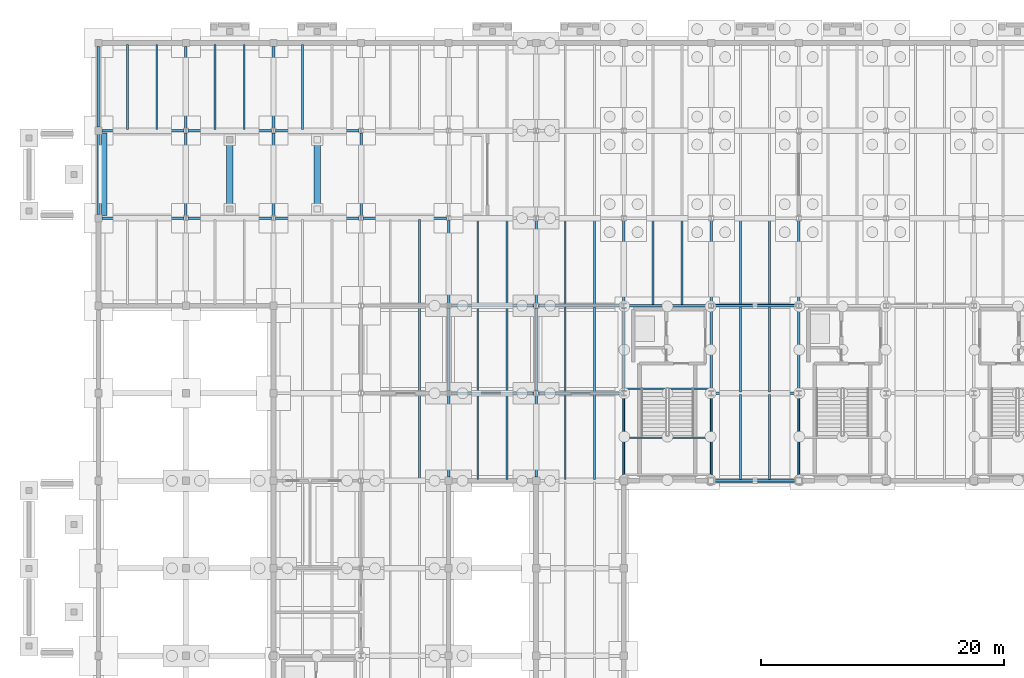
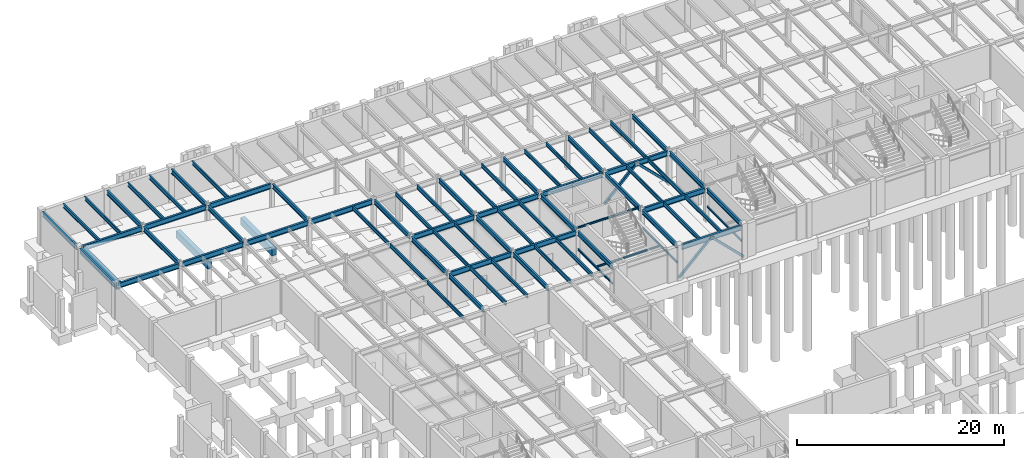
# One storey, part 25 of 46: 73 beams, 4 members.
"""IFC4 building model written with IfcOpenShell, lengths in metres."""

from ifc_helpers import new_model, si_unit, direction, frame, origin, origin_2d, place, context, subcontext, project, spatial, rectangle, hollow_rectangle, i_section, extrude, material, material_profile, profile_set, type_object, element, save


model = new_model("IFC4")

# Units and contexts
model_context = context("Model", 3, precision=1e-05, world=origin(), true_north=direction((0.0, 1.0)))
body_context = subcontext(model_context, "Body", "Model", "MODEL_VIEW")
ifc_project = project(units=[si_unit("LENGTHUNIT", "METRE"), si_unit("AREAUNIT", "SQUARE_METRE"), si_unit("VOLUMEUNIT", "CUBIC_METRE"), si_unit("PLANEANGLEUNIT", "RADIAN"), si_unit("MASSUNIT", "GRAM", prefix="KILO")], contexts=[model_context])

# Site, building, storey
site_placement = place(None, origin())
site = spatial("IfcSite", under=ifc_project, at=site_placement, CompositionType="ELEMENT")
building_placement = place(site_placement, origin())
building = spatial("IfcBuilding", under=site, at=building_placement, Name="Sillqori Civic Hall", CompositionType="ELEMENT")
storey_placement = place(building_placement, frame((0.0, 0.0, -4.199951171875)))
storey = spatial("IfcBuildingStorey", under=building, at=storey_placement, Name="B01", CompositionType="ELEMENT", Elevation=-4.199951171875)

# Beams
ifc_material_1 = material(Name="Steel ASTM A992", Category="steel")
ifc_material_profile_1 = material_profile(ifc_material_1, i_section(OverallWidth=0.2099609375, OverallDepth=0.532958984375, WebThickness=0.01025390625, FlangeThickness=0.015625, FilletRadius=0.013916015625, at=origin_2d()), Name="W21X62")
ifc_profile_set_1 = profile_set([ifc_material_profile_1], Name="Steel ASTM A992")
beam_type_1 = type_object("IfcBeamType", Name="BM-W21X62", PredefinedType="BEAM", material=ifc_profile_set_1)
for number, where, z_axis, x_axis, name in (
    (1, (7.199951171875, 101.093994140625, 3.71337890625), (0.0, 1.0, 0.0), (-1.0, 0.0, 0.0), "B01 girder Y 1-14"),
    (2, (7.199951171875, 108.2939453125, 3.71337890625), (0.0, 1.0, 0.0), (-1.0, 0.0, 0.0), "B01 girder Y 1-15"),
):
    element("IfcBeam", number, at=place(storey_placement, frame(where, z_axis=z_axis, x_axis=x_axis)), inside=storey, type_object=beam_type_1, Name=name, PredefinedType="BEAM", context=body_context, shape_type="SweptSolid", body=[
        extrude(i_section(OverallWidth=0.2099609375, OverallDepth=0.532958984375, WebThickness=0.01025390625, FlangeThickness=0.015625, FilletRadius=0.013916015625, at=origin_2d()), origin(), (0.0, 0.0, 1.0), 6.612060546875),
    ])
beam_1_placement = place(storey_placement, frame((14.39990234375, 100.974609375, 3.71337890625), z_axis=(0.0, 1.0, 0.0), x_axis=(-1.0, 0.0, 0.0)))
element("IfcBeam", 3, at=beam_1_placement, inside=storey, type_object=beam_type_1, Name="B01 girder Y 2-14", PredefinedType="BEAM", context=body_context, shape_type="SweptSolid", body=[
    extrude(i_section(OverallWidth=0.2099609375, OverallDepth=0.532958984375, WebThickness=0.01025390625, FlangeThickness=0.015625, FilletRadius=0.013916015625, at=origin_2d()), origin(), (0.0, 0.0, 1.0), 6.850830078125),
])
beam_2_placement = place(storey_placement, frame((14.39990234375, 108.174560546875, 3.71337890625), z_axis=(0.0, 1.0, 0.0), x_axis=(-1.0, 0.0, 0.0)))
element("IfcBeam", 4, at=beam_2_placement, inside=storey, type_object=beam_type_1, Name="B01 girder Y 2-15", PredefinedType="BEAM", context=body_context, shape_type="SweptSolid", body=[
    extrude(i_section(OverallWidth=0.2099609375, OverallDepth=0.532958984375, WebThickness=0.01025390625, FlangeThickness=0.015625, FilletRadius=0.013916015625, at=origin_2d()), origin(), (0.0, 0.0, 1.0), 6.7314453125),
])
beam_3_placement = place(storey_placement, frame((21.60009765625, 100.974609375, 3.71337890625), z_axis=(0.0, 1.0, 0.0), x_axis=(-1.0, 0.0, 0.0)))
element("IfcBeam", 5, at=beam_3_placement, inside=storey, type_object=beam_type_1, Name="B01 girder Y 3-14", PredefinedType="BEAM", context=body_context, shape_type="SweptSolid", body=[
    extrude(i_section(OverallWidth=0.2099609375, OverallDepth=0.532958984375, WebThickness=0.01025390625, FlangeThickness=0.015625, FilletRadius=0.013916015625, at=origin_2d()), origin(), (0.0, 0.0, 1.0), 6.850830078125),
])
beam_4_placement = place(storey_placement, frame((21.60009765625, 108.174560546875, 3.71337890625), z_axis=(0.0, 1.0, 0.0), x_axis=(-1.0, 0.0, 0.0)))
element("IfcBeam", 6, at=beam_4_placement, inside=storey, type_object=beam_type_1, Name="B01 girder Y 3-15", PredefinedType="BEAM", context=body_context, shape_type="SweptSolid", body=[
    extrude(i_section(OverallWidth=0.2099609375, OverallDepth=0.532958984375, WebThickness=0.01025390625, FlangeThickness=0.015625, FilletRadius=0.013916015625, at=origin_2d()), origin(), (0.0, 0.0, 1.0), 6.7314453125),
])
beam_5_placement = place(storey_placement, frame((28.800048828125, 100.974609375, 3.71337890625), z_axis=(0.0, 1.0, 0.0), x_axis=(-1.0, 0.0, 0.0)))
element("IfcBeam", 7, at=beam_5_placement, inside=storey, type_object=beam_type_1, Name="B01 girder Y 4-14", PredefinedType="BEAM", context=body_context, shape_type="SweptSolid", body=[
    extrude(i_section(OverallWidth=0.2099609375, OverallDepth=0.532958984375, WebThickness=0.01025390625, FlangeThickness=0.015625, FilletRadius=0.013916015625, at=origin_2d()), origin(), (0.0, 0.0, 1.0), 6.850830078125),
])
beam_6_placement = place(storey_placement, frame((36.0, 79.493896484375, 3.71337890625), z_axis=(0.0, 1.0, 0.0), x_axis=(-1.0, 0.0, 0.0)))
element("IfcBeam", 8, at=beam_6_placement, inside=storey, type_object=beam_type_1, Name="B01 girder Y 5-11", PredefinedType="BEAM", context=body_context, shape_type="SweptSolid", body=[
    extrude(i_section(OverallWidth=0.2099609375, OverallDepth=0.532958984375, WebThickness=0.01025390625, FlangeThickness=0.015625, FilletRadius=0.013916015625, at=origin_2d()), origin(), (0.0, 0.0, 1.0), 6.715087890625),
])
beam_7_placement = place(storey_placement, frame((36.0, 86.591064453125, 3.71337890625), z_axis=(0.0, 1.0, 0.0), x_axis=(-1.0, 0.0, 0.0)))
element("IfcBeam", 9, at=beam_7_placement, inside=storey, type_object=beam_type_1, Name="B01 girder Y 5-12", PredefinedType="BEAM", context=body_context, shape_type="SweptSolid", body=[
    extrude(i_section(OverallWidth=0.2099609375, OverallDepth=0.532958984375, WebThickness=0.01025390625, FlangeThickness=0.015625, FilletRadius=0.013916015625, at=origin_2d()), origin(), (0.0, 0.0, 1.0), 6.81787109375),
])
beam_8_placement = place(storey_placement, frame((36.0, 93.791015625, 3.71337890625), z_axis=(0.0, 1.0, 0.0), x_axis=(-1.0, 0.0, 0.0)))
element("IfcBeam", 10, at=beam_8_placement, inside=storey, type_object=beam_type_1, Name="B01 girder Y 5-13", PredefinedType="BEAM", context=body_context, shape_type="SweptSolid", body=[
    extrude(i_section(OverallWidth=0.2099609375, OverallDepth=0.532958984375, WebThickness=0.01025390625, FlangeThickness=0.015625, FilletRadius=0.013916015625, at=origin_2d()), origin(), (0.0, 0.0, 1.0), 6.8310546875),
])
beam_9_placement = place(storey_placement, frame((43.199951171875, 79.493896484375, 3.71337890625), z_axis=(0.0, 1.0, 0.0), x_axis=(-1.0, 0.0, 0.0)))
element("IfcBeam", 11, at=beam_9_placement, inside=storey, type_object=beam_type_1, Name="B01 girder Y 6-11", PredefinedType="BEAM", context=body_context, shape_type="SweptSolid", body=[
    extrude(i_section(OverallWidth=0.2099609375, OverallDepth=0.532958984375, WebThickness=0.01025390625, FlangeThickness=0.015625, FilletRadius=0.013916015625, at=origin_2d()), origin(), (0.0, 0.0, 1.0), 6.715087890625),
])
for number, where, z_axis, x_axis, name in (
    (12, (43.199951171875, 86.591064453125, 3.71337890625), (0.0, 1.0, 0.0), (-1.0, 0.0, 0.0), "B01 girder Y 6-12"),
    (13, (43.199951171875, 93.791015625, 3.71337890625), (0.0, 1.0, 0.0), (-1.0, 0.0, 0.0), "B01 girder Y 6-13"),
):
    element("IfcBeam", number, at=place(storey_placement, frame(where, z_axis=z_axis, x_axis=x_axis)), inside=storey, type_object=beam_type_1, Name=name, PredefinedType="BEAM", context=body_context, shape_type="SweptSolid", body=[
        extrude(i_section(OverallWidth=0.2099609375, OverallDepth=0.532958984375, WebThickness=0.01025390625, FlangeThickness=0.015625, FilletRadius=0.013916015625, at=origin_2d()), origin(), (0.0, 0.0, 1.0), 6.81787109375),
    ])
beam_10_placement = place(storey_placement, frame((50.39990234375, 79.493896484375, 3.71337890625), z_axis=(0.0, 1.0, 0.0), x_axis=(-1.0, 0.0, 0.0)))
element("IfcBeam", 14, at=beam_10_placement, inside=storey, type_object=beam_type_1, Name="B01 girder Y 7-11", PredefinedType="BEAM", context=body_context, shape_type="SweptSolid", body=[
    extrude(i_section(OverallWidth=0.2099609375, OverallDepth=0.532958984375, WebThickness=0.01025390625, FlangeThickness=0.015625, FilletRadius=0.013916015625, at=origin_2d()), origin(), (0.0, 0.0, 1.0), 6.708984375),
])
beam_11_placement = place(storey_placement, frame((50.39990234375, 86.596923828125, 3.71337890625), z_axis=(0.0, 1.0, 0.0), x_axis=(-1.0, 0.0, 0.0)))
element("IfcBeam", 15, at=beam_11_placement, inside=storey, type_object=beam_type_1, Name="B01 girder Y 7-12", PredefinedType="BEAM", context=body_context, shape_type="SweptSolid", body=[
    extrude(i_section(OverallWidth=0.2099609375, OverallDepth=0.532958984375, WebThickness=0.01025390625, FlangeThickness=0.015625, FilletRadius=0.013916015625, at=origin_2d()), origin(), (0.0, 0.0, 1.0), 6.80615234375),
])
beam_12_placement = place(storey_placement, frame((50.39990234375, 93.797119140625, 3.71337890625), z_axis=(0.0, 1.0, 0.0), x_axis=(-1.0, 0.0, 0.0)))
element("IfcBeam", 16, at=beam_12_placement, inside=storey, type_object=beam_type_1, Name="B01 girder Y 7-13", PredefinedType="BEAM", context=body_context, shape_type="SweptSolid", body=[
    extrude(i_section(OverallWidth=0.2099609375, OverallDepth=0.532958984375, WebThickness=0.01025390625, FlangeThickness=0.015625, FilletRadius=0.013916015625, at=origin_2d()), origin(), (0.0, 0.0, 1.0), 6.805908203125),
])
beam_13_placement = place(storey_placement, frame((57.60009765625, 79.493896484375, 3.71337890625), z_axis=(0.0, 1.0, 0.0), x_axis=(-1.0, 0.0, 0.0)))
element("IfcBeam", 17, at=beam_13_placement, inside=storey, type_object=beam_type_1, Name="B01 girder Y 8-11", PredefinedType="BEAM", context=body_context, shape_type="SweptSolid", body=[
    extrude(i_section(OverallWidth=0.2099609375, OverallDepth=0.532958984375, WebThickness=0.01025390625, FlangeThickness=0.015625, FilletRadius=0.013916015625, at=origin_2d()), origin(), (0.0, 0.0, 1.0), 6.708984375),
])
beam_14_placement = place(storey_placement, frame((57.60009765625, 86.596923828125, 3.71337890625), z_axis=(0.0, 1.0, 0.0), x_axis=(-1.0, 0.0, 0.0)))
element("IfcBeam", 18, at=beam_14_placement, inside=storey, type_object=beam_type_1, Name="B01 girder Y 8-12", PredefinedType="BEAM", context=body_context, shape_type="SweptSolid", body=[
    extrude(i_section(OverallWidth=0.2099609375, OverallDepth=0.532958984375, WebThickness=0.01025390625, FlangeThickness=0.015625, FilletRadius=0.013916015625, at=origin_2d()), origin(), (0.0, 0.0, 1.0), 6.80615234375),
])
beam_15_placement = place(storey_placement, frame((57.60009765625, 93.797119140625, 3.71337890625), z_axis=(0.0, 1.0, 0.0), x_axis=(-1.0, 0.0, 0.0)))
element("IfcBeam", 19, at=beam_15_placement, inside=storey, type_object=beam_type_1, Name="B01 girder Y 8-13", PredefinedType="BEAM", context=body_context, shape_type="SweptSolid", body=[
    extrude(i_section(OverallWidth=0.2099609375, OverallDepth=0.532958984375, WebThickness=0.01025390625, FlangeThickness=0.015625, FilletRadius=0.013916015625, at=origin_2d()), origin(), (0.0, 0.0, 1.0), 6.805908203125),
])
beam_16_placement = place(storey_placement, frame((64.800048828125, 79.493896484375, 3.71337890625), z_axis=(0.0, 1.0, 0.0), x_axis=(-1.0, 0.0, 0.0)))
element("IfcBeam", 20, at=beam_16_placement, inside=storey, type_object=beam_type_1, Name="B01 girder Y 9-11", PredefinedType="BEAM", context=body_context, shape_type="SweptSolid", body=[
    extrude(i_section(OverallWidth=0.2099609375, OverallDepth=0.532958984375, WebThickness=0.01025390625, FlangeThickness=0.015625, FilletRadius=0.013916015625, at=origin_2d()), origin(), (0.0, 0.0, 1.0), 6.708984375),
])
beam_17_placement = place(storey_placement, frame((64.800048828125, 86.596923828125, 3.71337890625), z_axis=(0.0, 1.0, 0.0), x_axis=(-1.0, 0.0, 0.0)))
element("IfcBeam", 21, at=beam_17_placement, inside=storey, type_object=beam_type_1, Name="B01 girder Y 9-12", PredefinedType="BEAM", context=body_context, shape_type="SweptSolid", body=[
    extrude(i_section(OverallWidth=0.2099609375, OverallDepth=0.532958984375, WebThickness=0.01025390625, FlangeThickness=0.015625, FilletRadius=0.013916015625, at=origin_2d()), origin(), (0.0, 0.0, 1.0), 6.80615234375),
])
beam_18_placement = place(storey_placement, frame((64.800048828125, 93.797119140625, 3.71337890625), z_axis=(0.0, 1.0, 0.0), x_axis=(-1.0, 0.0, 0.0)))
element("IfcBeam", 22, at=beam_18_placement, inside=storey, type_object=beam_type_1, Name="B01 girder Y 9-13", PredefinedType="BEAM", context=body_context, shape_type="SweptSolid", body=[
    extrude(i_section(OverallWidth=0.2099609375, OverallDepth=0.532958984375, WebThickness=0.01025390625, FlangeThickness=0.015625, FilletRadius=0.013916015625, at=origin_2d()), origin(), (0.0, 0.0, 1.0), 6.805908203125),
])
ifc_material_profile_2 = material_profile(ifc_material_1, i_section(OverallWidth=0.22802734375, OverallDepth=0.60205078125, WebThickness=0.010498046875, FlangeThickness=0.014892578125, FilletRadius=0.014892578125, at=origin_2d()), Name="W24X68")
ifc_profile_set_2 = profile_set([ifc_material_profile_2], Name="Steel ASTM A992")
beam_type_2 = type_object("IfcBeamType", Name="BM-W24X68", PredefinedType="BEAM", material=ifc_profile_set_2)
for number, where, z_axis, x_axis, name in (
    (23, (7.493896484375, 100.800048828125, 3.678955078125), (1.0, 0.0, 0.0), (0.0, 1.0, 0.0), "B01 girder X 1-14"),
    (24, (7.493896484375, 108.0, 3.678955078125), (1.0, 0.0, 0.0), (0.0, 1.0, 0.0), "B01 girder X 1-15"),
):
    element("IfcBeam", number, at=place(storey_placement, frame(where, z_axis=z_axis, x_axis=x_axis)), inside=storey, type_object=beam_type_2, Name=name, PredefinedType="BEAM", context=body_context, shape_type="SweptSolid", body=[
        extrude(i_section(OverallWidth=0.22802734375, OverallDepth=0.60205078125, WebThickness=0.010498046875, FlangeThickness=0.014892578125, FilletRadius=0.014892578125, at=origin_2d()), origin(), (0.0, 0.0, 1.0), 6.7265625),
    ])
for number, where, z_axis, x_axis, name in (
    (25, (14.57958984375, 100.800048828125, 3.678955078125), (1.0, 0.0, 0.0), (0.0, 1.0, 0.0), "B01 girder X 2-14"),
    (26, (14.57958984375, 108.0, 3.678955078125), (1.0, 0.0, 0.0), (0.0, 1.0, 0.0), "B01 girder X 2-15"),
):
    element("IfcBeam", number, at=place(storey_placement, frame(where, z_axis=z_axis, x_axis=x_axis)), inside=storey, type_object=beam_type_2, Name=name, PredefinedType="BEAM", context=body_context, shape_type="SweptSolid", body=[
        extrude(i_section(OverallWidth=0.22802734375, OverallDepth=0.60205078125, WebThickness=0.010498046875, FlangeThickness=0.014892578125, FilletRadius=0.014892578125, at=origin_2d()), origin(), (0.0, 0.0, 1.0), 6.8408203125),
    ])
for number, where, z_axis, x_axis, name in (
    (27, (21.779541015625, 100.800048828125, 3.678955078125), (1.0, 0.0, 0.0), (0.0, 1.0, 0.0), "B01 girder X 3-14"),
    (28, (21.779541015625, 108.0, 3.678955078125), (1.0, 0.0, 0.0), (0.0, 1.0, 0.0), "B01 girder X 3-15"),
):
    element("IfcBeam", number, at=place(storey_placement, frame(where, z_axis=z_axis, x_axis=x_axis)), inside=storey, type_object=beam_type_2, Name=name, PredefinedType="BEAM", context=body_context, shape_type="SweptSolid", body=[
        extrude(i_section(OverallWidth=0.22802734375, OverallDepth=0.60205078125, WebThickness=0.010498046875, FlangeThickness=0.014892578125, FilletRadius=0.014892578125, at=origin_2d()), origin(), (0.0, 0.0, 1.0), 6.841064453125),
    ])
beam_19_placement = place(storey_placement, frame((28.9794921875, 100.800048828125, 3.678955078125), z_axis=(1.0, 0.0, 0.0), x_axis=(0.0, 1.0, 0.0)))
element("IfcBeam", 29, at=beam_19_placement, inside=storey, type_object=beam_type_2, Name="B01 girder X 4-14", PredefinedType="BEAM", context=body_context, shape_type="SweptSolid", body=[
    extrude(i_section(OverallWidth=0.22802734375, OverallDepth=0.60205078125, WebThickness=0.010498046875, FlangeThickness=0.014892578125, FilletRadius=0.014892578125, at=origin_2d()), origin(), (0.0, 0.0, 1.0), 6.840087890625),
])
for number, where, z_axis, x_axis, name in (
    (30, (36.193603515625, 86.39990234375, 3.678955078125), (1.0, 0.0, 0.0), (0.0, 1.0, 0.0), "B01 girder X 5-12"),
    (31, (36.193603515625, 93.60009765625, 3.678955078125), (1.0, 0.0, 0.0), (0.0, 1.0, 0.0), "B01 girder X 5-13"),
):
    element("IfcBeam", number, at=place(storey_placement, frame(where, z_axis=z_axis, x_axis=x_axis)), inside=storey, type_object=beam_type_2, Name=name, PredefinedType="BEAM", context=body_context, shape_type="SweptSolid", body=[
        extrude(i_section(OverallWidth=0.22802734375, OverallDepth=0.60205078125, WebThickness=0.010498046875, FlangeThickness=0.014892578125, FilletRadius=0.014892578125, at=origin_2d()), origin(), (0.0, 0.0, 1.0), 6.81298828125),
    ])
for number, where, z_axis, x_axis, name in (
    (32, (43.3935546875, 86.39990234375, 3.678955078125), (1.0, 0.0, 0.0), (0.0, 1.0, 0.0), "B01 girder X 6-12"),
    (33, (43.3935546875, 93.60009765625, 3.678955078125), (1.0, 0.0, 0.0), (0.0, 1.0, 0.0), "B01 girder X 6-13"),
):
    element("IfcBeam", number, at=place(storey_placement, frame(where, z_axis=z_axis, x_axis=x_axis)), inside=storey, type_object=beam_type_2, Name=name, PredefinedType="BEAM", context=body_context, shape_type="SweptSolid", body=[
        extrude(i_section(OverallWidth=0.22802734375, OverallDepth=0.60205078125, WebThickness=0.010498046875, FlangeThickness=0.014892578125, FilletRadius=0.014892578125, at=origin_2d()), origin(), (0.0, 0.0, 1.0), 6.810546875),
    ])
beam_20_placement = place(storey_placement, frame((50.595947265625, 93.60009765625, 3.678955078125), z_axis=(1.0, 0.0, 0.0), x_axis=(0.0, 1.0, 0.0)))
element("IfcBeam", 34, at=beam_20_placement, inside=storey, type_object=beam_type_2, Name="B01 girder X 7-13", PredefinedType="BEAM", context=body_context, shape_type="SweptSolid", body=[
    extrude(i_section(OverallWidth=0.22802734375, OverallDepth=0.60205078125, WebThickness=0.010498046875, FlangeThickness=0.014892578125, FilletRadius=0.014892578125, at=origin_2d()), origin(), (0.0, 0.0, 1.0), 6.80810546875),
])
beam_21_placement = place(storey_placement, frame((57.89404296875, 79.199951171875, 3.678955078125), z_axis=(1.0, 0.0, 0.0), x_axis=(0.0, 1.0, 0.0)))
element("IfcBeam", 35, at=beam_21_placement, inside=storey, type_object=beam_type_2, Name="B01 girder X 8-11", PredefinedType="BEAM", context=body_context, shape_type="SweptSolid", body=[
    extrude(i_section(OverallWidth=0.22802734375, OverallDepth=0.60205078125, WebThickness=0.010498046875, FlangeThickness=0.014892578125, FilletRadius=0.014892578125, at=origin_2d()), origin(), (0.0, 0.0, 1.0), 6.612060546875),
])
for number, where, z_axis, x_axis, name in (
    (36, (57.7958984375, 86.39990234375, 3.678955078125), (1.0, 0.0, 0.0), (0.0, 1.0, 0.0), "B01 girder X 8-12"),
    (37, (57.7958984375, 93.60009765625, 3.678955078125), (1.0, 0.0, 0.0), (0.0, 1.0, 0.0), "B01 girder X 8-13"),
):
    element("IfcBeam", number, at=place(storey_placement, frame(where, z_axis=z_axis, x_axis=x_axis)), inside=storey, type_object=beam_type_2, Name=name, PredefinedType="BEAM", context=body_context, shape_type="SweptSolid", body=[
        extrude(i_section(OverallWidth=0.22802734375, OverallDepth=0.60205078125, WebThickness=0.010498046875, FlangeThickness=0.014892578125, FilletRadius=0.014892578125, at=origin_2d()), origin(), (0.0, 0.0, 1.0), 6.80810546875),
    ])

# Members
ifc_material_2 = material(Name="Steel ASTM A500 Grade C", Category="steel")
ifc_material_profile_3 = material_profile(ifc_material_2, hollow_rectangle(XDim=0.25, YDim=0.25, WallThickness=0.011962890625, InnerFilletRadius=0.011962890625, OuterFilletRadius=0.02392578125, at=origin_2d()), Name="HSS250X250X12")
ifc_profile_set_3 = profile_set([ifc_material_profile_3], Name="Steel ASTM A500 Grade C")
member_type = type_object("IfcMemberType", Name="BR-HSS250", PredefinedType="BRACE", material=ifc_profile_set_3)
member_1_placement = place(storey_placement, frame((57.60009765625, 79.199951171875, 0.14990234375), z_axis=(0.712015061443, 0.0, 0.702164191823), x_axis=(0.0, 1.0, 0.0)))
element("IfcMember", 38, at=member_1_placement, inside=storey, type_object=member_type, Name="B01 seismic chevron brace L X11-8", PredefinedType="BRACE", context=body_context, shape_type="SweptSolid", body=[
    extrude(hollow_rectangle(XDim=0.25, YDim=0.25, WallThickness=0.011962890625, InnerFilletRadius=0.011962890625, OuterFilletRadius=0.02392578125, at=origin_2d()), origin(), (0.0, 0.0, 1.0), 5.055908203125),
])
member_2_placement = place(storey_placement, frame((64.800048828125, 79.199951171875, 0.14990234375), z_axis=(-0.712038868151, 0.0, 0.702140050305), x_axis=(0.0, -1.0, 0.0)))
element("IfcMember", 39, at=member_2_placement, inside=storey, type_object=member_type, Name="B01 seismic chevron brace R X11-8", PredefinedType="BRACE", context=body_context, shape_type="SweptSolid", body=[
    extrude(hollow_rectangle(XDim=0.25, YDim=0.25, WallThickness=0.011962890625, InnerFilletRadius=0.011962890625, OuterFilletRadius=0.02392578125, at=origin_2d()), origin(), (0.0, 0.0, 1.0), 5.05615234375),
])
member_3_placement = place(storey_placement, frame((57.60009765625, 93.60009765625, 0.14990234375), z_axis=(0.712015061443, 0.0, 0.702164191823), x_axis=(0.0, 1.0, 0.0)))
element("IfcMember", 40, at=member_3_placement, inside=storey, type_object=member_type, Name="B01 seismic chevron brace L X13-8", PredefinedType="BRACE", context=body_context, shape_type="SweptSolid", body=[
    extrude(hollow_rectangle(XDim=0.25, YDim=0.25, WallThickness=0.011962890625, InnerFilletRadius=0.011962890625, OuterFilletRadius=0.02392578125, at=origin_2d()), origin(), (0.0, 0.0, 1.0), 5.055908203125),
])
member_4_placement = place(storey_placement, frame((64.800048828125, 93.60009765625, 0.14990234375), z_axis=(-0.712038868151, 0.0, 0.702140050305), x_axis=(0.0, -1.0, 0.0)))
element("IfcMember", 41, at=member_4_placement, inside=storey, type_object=member_type, Name="B01 seismic chevron brace R X13-8", PredefinedType="BRACE", context=body_context, shape_type="SweptSolid", body=[
    extrude(hollow_rectangle(XDim=0.25, YDim=0.25, WallThickness=0.011962890625, InnerFilletRadius=0.011962890625, OuterFilletRadius=0.02392578125, at=origin_2d()), origin(), (0.0, 0.0, 1.0), 5.05615234375),
])

# Beams
ifc_material_profile_4 = material_profile(ifc_material_1, i_section(OverallWidth=0.153076171875, OverallDepth=0.455078125, WebThickness=0.008056640625, FlangeThickness=0.01318359375, FilletRadius=0.012939453125, at=origin_2d()), Name="W18X40")
ifc_profile_set_4 = profile_set([ifc_material_profile_4], Name="Steel ASTM A992")
beam_type_3 = type_object("IfcBeamType", Name="JS-W18X40", PredefinedType="JOIST", material=ifc_profile_set_4)
for number, where, z_axis, x_axis, name in (
    (42, (9.60009765625, 108.094970703125, 3.75244140625), (0.0, 1.0, 0.0), (-1.0, 0.0, 0.0), "B01 composite joist 1-15.1"),
    (43, (12.0, 108.094970703125, 3.75244140625), (0.0, 1.0, 0.0), (-1.0, 0.0, 0.0), "B01 composite joist 1-15.2"),
    (44, (16.800048828125, 108.094970703125, 3.75244140625), (0.0, 1.0, 0.0), (-1.0, 0.0, 0.0), "B01 composite joist 2-15.1"),
    (45, (19.199951171875, 108.094970703125, 3.75244140625), (0.0, 1.0, 0.0), (-1.0, 0.0, 0.0), "B01 composite joist 2-15.2"),
    (46, (24.0, 108.094970703125, 3.75244140625), (0.0, 1.0, 0.0), (-1.0, 0.0, 0.0), "B01 composite joist 3-15.1"),
    (47, (33.60009765625, 79.294921875, 3.75244140625), (0.0, 1.0, 0.0), (-1.0, 0.0, 0.0), "B01 composite joist 4-11.2"),
):
    element("IfcBeam", number, at=place(storey_placement, frame(where, z_axis=z_axis, x_axis=x_axis)), inside=storey, type_object=beam_type_3, Name=name, PredefinedType="JOIST", context=body_context, shape_type="SweptSolid", body=[
        extrude(i_section(OverallWidth=0.153076171875, OverallDepth=0.455078125, WebThickness=0.008056640625, FlangeThickness=0.01318359375, FilletRadius=0.012939453125, at=origin_2d()), origin(), (0.0, 0.0, 1.0), 7.010009765625),
    ])
beam_22_placement = place(storey_placement, frame((33.60009765625, 86.4951171875, 3.75244140625), z_axis=(0.0, 1.0, 0.0), x_axis=(-1.0, 0.0, 0.0)))
element("IfcBeam", 48, at=beam_22_placement, inside=storey, type_object=beam_type_3, Name="B01 composite joist 4-12.2", PredefinedType="JOIST", context=body_context, shape_type="SweptSolid", body=[
    extrude(i_section(OverallWidth=0.153076171875, OverallDepth=0.455078125, WebThickness=0.008056640625, FlangeThickness=0.01318359375, FilletRadius=0.012939453125, at=origin_2d()), origin(), (0.0, 0.0, 1.0), 7.009765625),
])
for number, where, z_axis, x_axis, name in (
    (49, (33.60009765625, 93.695068359375, 3.75244140625), (0.0, 1.0, 0.0), (-1.0, 0.0, 0.0), "B01 composite joist 4-13.2"),
    (50, (38.39990234375, 79.294921875, 3.75244140625), (0.0, 1.0, 0.0), (-1.0, 0.0, 0.0), "B01 composite joist 5-11.1"),
    (51, (40.800048828125, 79.294921875, 3.75244140625), (0.0, 1.0, 0.0), (-1.0, 0.0, 0.0), "B01 composite joist 5-11.2"),
):
    element("IfcBeam", number, at=place(storey_placement, frame(where, z_axis=z_axis, x_axis=x_axis)), inside=storey, type_object=beam_type_3, Name=name, PredefinedType="JOIST", context=body_context, shape_type="SweptSolid", body=[
        extrude(i_section(OverallWidth=0.153076171875, OverallDepth=0.455078125, WebThickness=0.008056640625, FlangeThickness=0.01318359375, FilletRadius=0.012939453125, at=origin_2d()), origin(), (0.0, 0.0, 1.0), 7.010009765625),
    ])
for number, where, z_axis, x_axis, name in (
    (52, (38.39990234375, 86.4951171875, 3.75244140625), (0.0, 1.0, 0.0), (-1.0, 0.0, 0.0), "B01 composite joist 5-12.1"),
    (53, (40.800048828125, 86.4951171875, 3.75244140625), (0.0, 1.0, 0.0), (-1.0, 0.0, 0.0), "B01 composite joist 5-12.2"),
):
    element("IfcBeam", number, at=place(storey_placement, frame(where, z_axis=z_axis, x_axis=x_axis)), inside=storey, type_object=beam_type_3, Name=name, PredefinedType="JOIST", context=body_context, shape_type="SweptSolid", body=[
        extrude(i_section(OverallWidth=0.153076171875, OverallDepth=0.455078125, WebThickness=0.008056640625, FlangeThickness=0.01318359375, FilletRadius=0.012939453125, at=origin_2d()), origin(), (0.0, 0.0, 1.0), 7.009765625),
    ])
for number, where, z_axis, x_axis, name in (
    (54, (38.39990234375, 93.695068359375, 3.75244140625), (0.0, 1.0, 0.0), (-1.0, 0.0, 0.0), "B01 composite joist 5-13.1"),
    (55, (40.800048828125, 93.695068359375, 3.75244140625), (0.0, 1.0, 0.0), (-1.0, 0.0, 0.0), "B01 composite joist 5-13.2"),
    (56, (45.60009765625, 79.294921875, 3.75244140625), (0.0, 1.0, 0.0), (-1.0, 0.0, 0.0), "B01 composite joist 6-11.1"),
    (57, (48.0, 79.294921875, 3.75244140625), (0.0, 1.0, 0.0), (-1.0, 0.0, 0.0), "B01 composite joist 6-11.2"),
):
    element("IfcBeam", number, at=place(storey_placement, frame(where, z_axis=z_axis, x_axis=x_axis)), inside=storey, type_object=beam_type_3, Name=name, PredefinedType="JOIST", context=body_context, shape_type="SweptSolid", body=[
        extrude(i_section(OverallWidth=0.153076171875, OverallDepth=0.455078125, WebThickness=0.008056640625, FlangeThickness=0.01318359375, FilletRadius=0.012939453125, at=origin_2d()), origin(), (0.0, 0.0, 1.0), 7.010009765625),
    ])
for number, where, z_axis, x_axis, name in (
    (58, (45.60009765625, 86.4951171875, 3.75244140625), (0.0, 1.0, 0.0), (-1.0, 0.0, 0.0), "B01 composite joist 6-12.1"),
    (59, (48.0, 86.4951171875, 3.75244140625), (0.0, 1.0, 0.0), (-1.0, 0.0, 0.0), "B01 composite joist 6-12.2"),
):
    element("IfcBeam", number, at=place(storey_placement, frame(where, z_axis=z_axis, x_axis=x_axis)), inside=storey, type_object=beam_type_3, Name=name, PredefinedType="JOIST", context=body_context, shape_type="SweptSolid", body=[
        extrude(i_section(OverallWidth=0.153076171875, OverallDepth=0.455078125, WebThickness=0.008056640625, FlangeThickness=0.01318359375, FilletRadius=0.012939453125, at=origin_2d()), origin(), (0.0, 0.0, 1.0), 7.009765625),
    ])
for number, where, z_axis, x_axis, name in (
    (60, (45.60009765625, 93.695068359375, 3.75244140625), (0.0, 1.0, 0.0), (-1.0, 0.0, 0.0), "B01 composite joist 6-13.1"),
    (61, (48.0, 93.695068359375, 3.75244140625), (0.0, 1.0, 0.0), (-1.0, 0.0, 0.0), "B01 composite joist 6-13.2"),
    (62, (52.800048828125, 93.695068359375, 3.75244140625), (0.0, 1.0, 0.0), (-1.0, 0.0, 0.0), "B01 composite joist 7-13.1"),
    (63, (55.199951171875, 93.695068359375, 3.75244140625), (0.0, 1.0, 0.0), (-1.0, 0.0, 0.0), "B01 composite joist 7-13.2"),
    (64, (60.0, 79.294921875, 3.75244140625), (0.0, 1.0, 0.0), (-1.0, 0.0, 0.0), "B01 composite joist 8-11.1"),
    (65, (62.39990234375, 79.294921875, 3.75244140625), (0.0, 1.0, 0.0), (-1.0, 0.0, 0.0), "B01 composite joist 8-11.2"),
):
    element("IfcBeam", number, at=place(storey_placement, frame(where, z_axis=z_axis, x_axis=x_axis)), inside=storey, type_object=beam_type_3, Name=name, PredefinedType="JOIST", context=body_context, shape_type="SweptSolid", body=[
        extrude(i_section(OverallWidth=0.153076171875, OverallDepth=0.455078125, WebThickness=0.008056640625, FlangeThickness=0.01318359375, FilletRadius=0.012939453125, at=origin_2d()), origin(), (0.0, 0.0, 1.0), 7.010009765625),
    ])
for number, where, z_axis, x_axis, name in (
    (66, (60.0, 86.4951171875, 3.75244140625), (0.0, 1.0, 0.0), (-1.0, 0.0, 0.0), "B01 composite joist 8-12.1"),
    (67, (62.39990234375, 86.4951171875, 3.75244140625), (0.0, 1.0, 0.0), (-1.0, 0.0, 0.0), "B01 composite joist 8-12.2"),
):
    element("IfcBeam", number, at=place(storey_placement, frame(where, z_axis=z_axis, x_axis=x_axis)), inside=storey, type_object=beam_type_3, Name=name, PredefinedType="JOIST", context=body_context, shape_type="SweptSolid", body=[
        extrude(i_section(OverallWidth=0.153076171875, OverallDepth=0.455078125, WebThickness=0.008056640625, FlangeThickness=0.01318359375, FilletRadius=0.012939453125, at=origin_2d()), origin(), (0.0, 0.0, 1.0), 7.009765625),
    ])
for number, where, z_axis, x_axis, name in (
    (68, (60.0, 93.695068359375, 3.75244140625), (0.0, 1.0, 0.0), (-1.0, 0.0, 0.0), "B01 composite joist 8-13.1"),
    (69, (62.39990234375, 93.695068359375, 3.75244140625), (0.0, 1.0, 0.0), (-1.0, 0.0, 0.0), "B01 composite joist 8-13.2"),
):
    element("IfcBeam", number, at=place(storey_placement, frame(where, z_axis=z_axis, x_axis=x_axis)), inside=storey, type_object=beam_type_3, Name=name, PredefinedType="JOIST", context=body_context, shape_type="SweptSolid", body=[
        extrude(i_section(OverallWidth=0.153076171875, OverallDepth=0.455078125, WebThickness=0.008056640625, FlangeThickness=0.01318359375, FilletRadius=0.012939453125, at=origin_2d()), origin(), (0.0, 0.0, 1.0), 7.010009765625),
    ])
ifc_material_profile_5 = material_profile(ifc_material_1, i_section(OverallWidth=0.133056640625, OverallDepth=0.20703125, WebThickness=0.005859375, FlangeThickness=0.00830078125, FilletRadius=0.008056640625, at=origin_2d()), Name="W8X18")
ifc_profile_set_5 = profile_set([ifc_material_profile_5], Name="Steel ASTM A992")
beam_type_4 = type_object("IfcBeamType", Name="LN-W8X18", PredefinedType="LINTEL", material=ifc_profile_set_5)
for number, where, z_axis, x_axis, name in (
    (70, (50.39990234375, 79.493896484375, 1.782470703125), (0.0, 1.0, 0.0), (-1.0, 0.0, 0.0), "B01 grid 7 stair landing stringer 1"),
    (71, (57.60009765625, 79.493896484375, 1.782470703125), (0.0, 1.0, 0.0), (-1.0, 0.0, 0.0), "B01 grid 8 stair landing stringer 1"),
):
    element("IfcBeam", number, at=place(storey_placement, frame(where, z_axis=z_axis, x_axis=x_axis)), inside=storey, type_object=beam_type_4, Name=name, PredefinedType="LINTEL", context=body_context, shape_type="SweptSolid", body=[
        extrude(i_section(OverallWidth=0.133056640625, OverallDepth=0.20703125, WebThickness=0.005859375, FlangeThickness=0.00830078125, FilletRadius=0.008056640625, at=origin_2d()), origin(), (0.0, 0.0, 1.0), 6.708984375),
    ])
for number, where, z_axis, x_axis, name in (
    (72, (50.449951171875, 82.75, 1.782470703125), (1.0, 0.0, 0.0), (0.0, 1.0, 0.0), "B01 C5 stair half-landing steel ledger 1.2"),
    (73, (50.449951171875, 86.77001953125, 3.882568359375), (1.0, 0.0, 0.0), (0.0, 1.0, 0.0), "B01 C5 stair upper arrival steel trimmer"),
):
    element("IfcBeam", number, at=place(storey_placement, frame(where, z_axis=z_axis, x_axis=x_axis)), inside=storey, type_object=beam_type_4, Name=name, PredefinedType="LINTEL", context=body_context, shape_type="SweptSolid", body=[
        extrude(i_section(OverallWidth=0.133056640625, OverallDepth=0.20703125, WebThickness=0.005859375, FlangeThickness=0.00830078125, FilletRadius=0.008056640625, at=origin_2d()), origin(), (0.0, 0.0, 1.0), 7.10009765625),
    ])
beam_23_placement = place(storey_placement, frame((64.800048828125, 79.493896484375, 1.782470703125), z_axis=(0.0, 1.0, 0.0), x_axis=(-1.0, 0.0, 0.0)))
element("IfcBeam", 74, at=beam_23_placement, inside=storey, type_object=beam_type_4, Name="B01 grid 9 stair landing stringer 1", PredefinedType="LINTEL", context=body_context, shape_type="SweptSolid", body=[
    extrude(i_section(OverallWidth=0.133056640625, OverallDepth=0.20703125, WebThickness=0.005859375, FlangeThickness=0.00830078125, FilletRadius=0.008056640625, at=origin_2d()), origin(), (0.0, 0.0, 1.0), 6.708984375),
])
ifc_material_3 = material(Name="Concrete C35/45 (H35)", Category="concrete")
ifc_material_profile_6 = material_profile(ifc_material_3, rectangle(XDim=0.5, YDim=0.85009765625, at=origin_2d()), Name="RC 500x850")
ifc_profile_set_6 = profile_set([ifc_material_profile_6], Name="Concrete C35/45 (H35)")
beam_type_5 = type_object("IfcBeamType", Name="VB-RG-V1", PredefinedType="BEAM", material=ifc_profile_set_6)
beam_24_placement = place(storey_placement, frame((7.64990234375, 101.0, 3.48486328125), z_axis=(0.0, 1.0, 0.0), x_axis=(-1.0, 0.0, 0.0)))
element("IfcBeam", 75, at=beam_24_placement, inside=storey, type_object=beam_type_5, Name="Vehicle ramp head bearing beam", PredefinedType="BEAM", context=body_context, shape_type="SweptSolid", body=[
    extrude(rectangle(XDim=0.5, YDim=0.85009765625, at=origin_2d()), origin(), (0.0, 0.0, 1.0), 6.800048828125),
])
for number, where, z_axis, x_axis, name in (
    (76, (18.0, 101.35009765625, 2.092529296875), (0.0, 1.0, 0.0), (-1.0, 0.0, 0.0), "Vehicle ramp intermediate bearing beam 1"),
    (77, (25.199951171875, 101.35009765625, 1.123291015625), (0.0, 1.0, 0.0), (-1.0, 0.0, 0.0), "Vehicle ramp intermediate bearing beam 2"),
):
    element("IfcBeam", number, at=place(storey_placement, frame(where, z_axis=z_axis, x_axis=x_axis)), inside=storey, type_object=beam_type_5, Name=name, PredefinedType="BEAM", context=body_context, shape_type="SweptSolid", body=[
        extrude(rectangle(XDim=0.5, YDim=0.85009765625, at=origin_2d()), origin(), (0.0, 0.0, 1.0), 6.099853515625),
    ])

save(model, "model.ifc")
